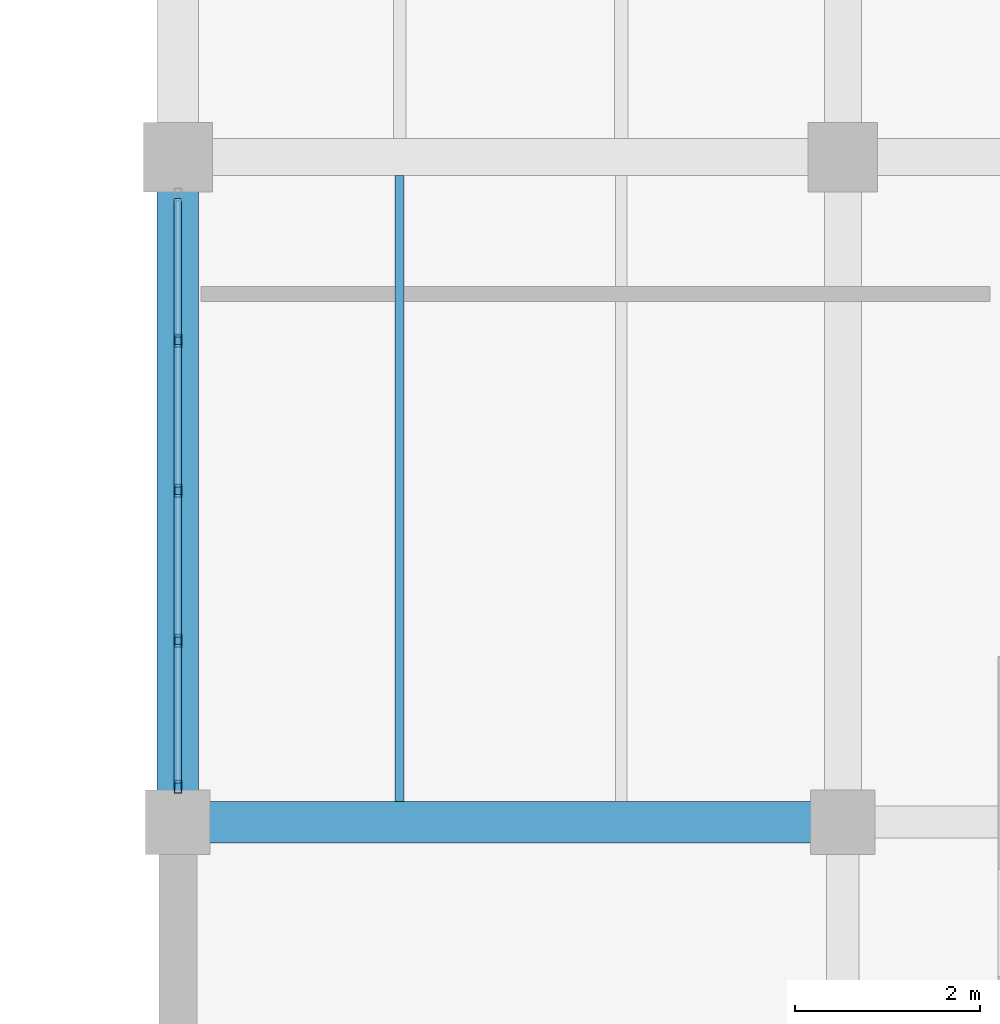
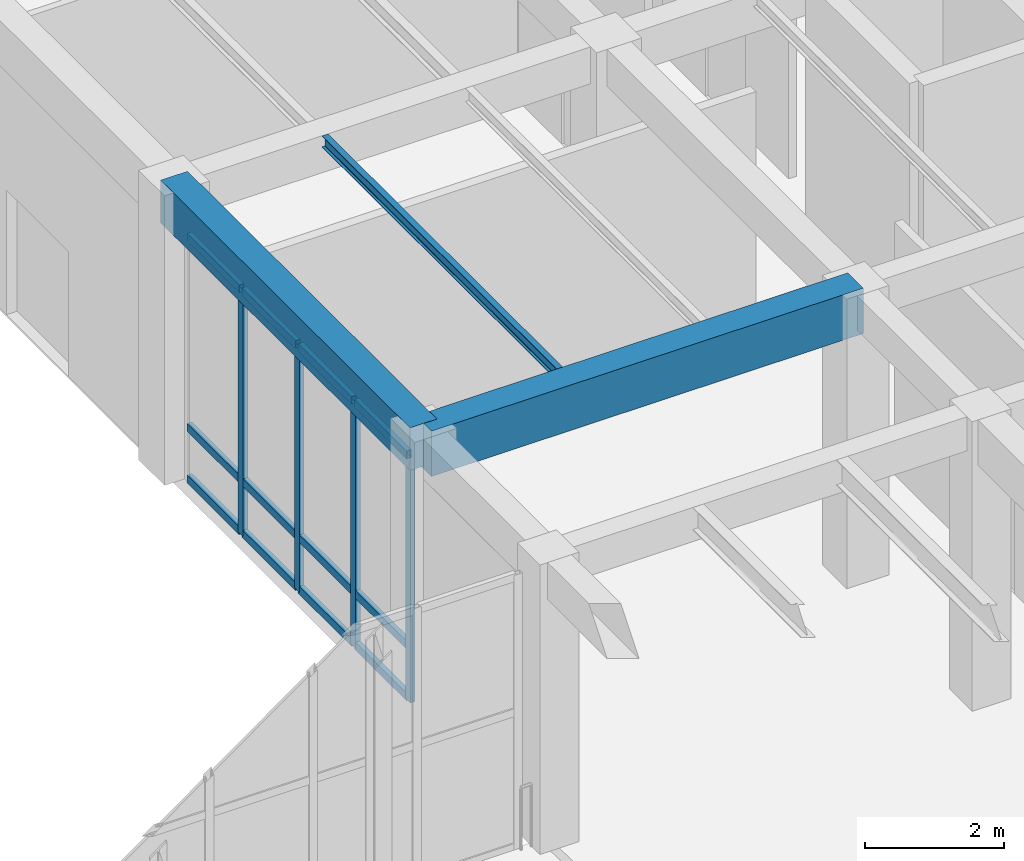
# One storey, part 80 of 169: 16 members, 3 beams, 1 element without a shape of its own.
"""IFC4 building model written with IfcOpenShell, lengths in metres."""

from ifc_helpers import new_model, si_unit, direction, frame, origin, origin_2d, place, context, subcontext, project, spatial, rectangle, hollow_rectangle, i_section, extrude, material, layer, layer_set, material_profile, profile_set, type_object, element, aggregate, save


model = new_model("IFC4")

# Units and contexts
model_context = context("Model", 3, precision=1e-05, world=origin(), true_north=direction((0.0, 1.0)))
body_context = subcontext(model_context, "Body", "Model", "MODEL_VIEW")
ifc_project = project(units=[si_unit("LENGTHUNIT", "METRE"), si_unit("AREAUNIT", "SQUARE_METRE"), si_unit("VOLUMEUNIT", "CUBIC_METRE"), si_unit("PLANEANGLEUNIT", "RADIAN"), si_unit("MASSUNIT", "GRAM", prefix="KILO")], contexts=[model_context])

# Site, building, storey
site_placement = place(None, origin())
site = spatial("IfcSite", under=ifc_project, at=site_placement, CompositionType="ELEMENT")
building_placement = place(site_placement, origin())
building = spatial("IfcBuilding", under=site, at=building_placement, Name="Mazaris Harbour Polytechnic", CompositionType="ELEMENT")
storey_placement = place(building_placement, origin())
storey = spatial("IfcBuildingStorey", under=building, at=storey_placement, Name="L00", CompositionType="ELEMENT", Elevation=0.0)

# Curtain wall, members
ifc_material_1 = material(Name="Anodised Bronze Aluminium and Low-E Glass", Category="aluminium")
ifc_layer = layer(ifc_material_1, 0.169921875, Name="Anodised Bronze Aluminium and Low-E Glass")
ifc_layer_set = layer_set([ifc_layer], Name="Anodised Bronze Aluminium and Low-E Glass")
curtain_wall_type = type_object("IfcCurtainWallType", Name="Studio North-Light Curtain Wall", PredefinedType="NOTDEFINED", material=ifc_layer_set)
curtain_wall_placement = place(storey_placement, origin())
curtain_wall = element("IfcCurtainWall", 1, at=curtain_wall_placement, inside=storey, type_object=curtain_wall_type, Name="V5 L00 Curtain Wall 189", PredefinedType="NOTDEFINED")
ifc_material_2 = material(Name="Anodised Bronze Steel S355", Category="steel")
ifc_material_profile_1 = material_profile(ifc_material_2, hollow_rectangle(XDim=0.080078125, YDim=0.139892578125, WallThickness=0.00634765625, at=origin_2d()), Name="RHS 80x140x6.3")
ifc_profile_set_1 = profile_set([ifc_material_profile_1], Name="Anodised Bronze Steel S355")
member_type_1 = type_object("IfcMemberType", Name="Curtain Mullion RHS80x140", PredefinedType="MULLION", material=ifc_profile_set_1)
member_1_placement = place(storey_placement, frame((122.39990234375, 86.781982421875, 0.0), z_axis=(0.0, 0.0, 1.0), x_axis=(-1.0, 0.0, 0.0)))
member_1 = element("IfcMember", 2, at=member_1_placement, type_object=member_type_1, Name="CW-03 mullion 1", PredefinedType="MULLION", context=body_context, shape_type="SweptSolid", body=[
    extrude(hollow_rectangle(XDim=0.080078125, YDim=0.139892578125, WallThickness=0.00634765625, at=origin_2d()), origin(), (0.0, 0.0, 1.0), 4.340087890625),
])
member_2_placement = place(storey_placement, frame((122.39990234375, 88.36474609375, 0.0), z_axis=(0.0, 0.0, 1.0), x_axis=(-1.0, 0.0, 0.0)))
member_2 = element("IfcMember", 3, at=member_2_placement, type_object=member_type_1, Name="CW-03 mullion 2", PredefinedType="MULLION", context=body_context, shape_type="SweptSolid", body=[
    extrude(hollow_rectangle(XDim=0.080078125, YDim=0.139892578125, WallThickness=0.00634765625, at=origin_2d()), origin(), (0.0, 0.0, 1.0), 4.340087890625),
])
member_3_placement = place(storey_placement, frame((122.39990234375, 89.987548828125, 0.0), z_axis=(0.0, 0.0, 1.0), x_axis=(-1.0, 0.0, 0.0)))
member_3 = element("IfcMember", 4, at=member_3_placement, type_object=member_type_1, Name="CW-03 mullion 3", PredefinedType="MULLION", context=body_context, shape_type="SweptSolid", body=[
    extrude(hollow_rectangle(XDim=0.080078125, YDim=0.139892578125, WallThickness=0.00634765625, at=origin_2d()), origin(), (0.0, 0.0, 1.0), 4.340087890625),
])
member_4_placement = place(storey_placement, frame((122.39990234375, 91.6103515625, 0.0), z_axis=(0.0, 0.0, 1.0), x_axis=(-1.0, 0.0, 0.0)))
member_4 = element("IfcMember", 5, at=member_4_placement, type_object=member_type_1, Name="CW-03 mullion 4", PredefinedType="MULLION", context=body_context, shape_type="SweptSolid", body=[
    extrude(hollow_rectangle(XDim=0.080078125, YDim=0.139892578125, WallThickness=0.00634765625, at=origin_2d()), origin(), (0.0, 0.0, 1.0), 4.340087890625),
])
ifc_material_3 = material(Name="Anodised Bronze Steel S355", Category="steel")
ifc_material_profile_2 = material_profile(ifc_material_3, hollow_rectangle(XDim=0.080078125, YDim=0.139892578125, WallThickness=0.00634765625, at=origin_2d()), Name="RHS 80x140x6.3")
ifc_profile_set_2 = profile_set([ifc_material_profile_2], Name="Anodised Bronze Steel S355")
member_type_2 = type_object("IfcMemberType", Name="Curtain Transom RHS80x140", PredefinedType="USERDEFINED", material=ifc_profile_set_2)
member_5_placement = place(storey_placement, frame((122.39990234375, 86.822021484375, 0.0400390625), z_axis=(0.0, 1.0, 0.0), x_axis=(-1.0, 0.0, 0.0)))
member_5 = element("IfcMember", 6, at=member_5_placement, type_object=member_type_2, Name="CW-03 transom 1.1", ObjectType="TRANSOM", PredefinedType="USERDEFINED", context=body_context, shape_type="SweptSolid", body=[
    extrude(hollow_rectangle(XDim=0.080078125, YDim=0.139892578125, WallThickness=0.00634765625, at=origin_2d()), origin(), (0.0, 0.0, 1.0), 1.502685546875),
])
member_6_placement = place(storey_placement, frame((122.39990234375, 86.822021484375, 0.949951171875), z_axis=(0.0, 1.0, 0.0), x_axis=(-1.0, 0.0, 0.0)))
member_6 = element("IfcMember", 7, at=member_6_placement, type_object=member_type_2, Name="CW-03 transom 1.2", ObjectType="TRANSOM", PredefinedType="USERDEFINED", context=body_context, shape_type="SweptSolid", body=[
    extrude(hollow_rectangle(XDim=0.080078125, YDim=0.139892578125, WallThickness=0.00634765625, at=origin_2d()), origin(), (0.0, 0.0, 1.0), 1.502685546875),
])
member_7_placement = place(storey_placement, frame((122.39990234375, 86.822021484375, 4.300048828125), z_axis=(0.0, 1.0, 0.0), x_axis=(-1.0, 0.0, 0.0)))
member_7 = element("IfcMember", 8, at=member_7_placement, type_object=member_type_2, Name="CW-03 transom 1.3", ObjectType="TRANSOM", PredefinedType="USERDEFINED", context=body_context, shape_type="SweptSolid", body=[
    extrude(hollow_rectangle(XDim=0.080078125, YDim=0.139892578125, WallThickness=0.00634765625, at=origin_2d()), origin(), (0.0, 0.0, 1.0), 1.502685546875),
])
member_8_placement = place(storey_placement, frame((122.39990234375, 88.40478515625, 0.0400390625), z_axis=(0.0, 1.0, 0.0), x_axis=(-1.0, 0.0, 0.0)))
member_8 = element("IfcMember", 9, at=member_8_placement, type_object=member_type_2, Name="CW-03 transom 2.1", ObjectType="TRANSOM", PredefinedType="USERDEFINED", context=body_context, shape_type="SweptSolid", body=[
    extrude(hollow_rectangle(XDim=0.080078125, YDim=0.139892578125, WallThickness=0.00634765625, at=origin_2d()), origin(), (0.0, 0.0, 1.0), 1.542724609375),
])
member_9_placement = place(storey_placement, frame((122.39990234375, 88.40478515625, 0.949951171875), z_axis=(0.0, 1.0, 0.0), x_axis=(-1.0, 0.0, 0.0)))
member_9 = element("IfcMember", 10, at=member_9_placement, type_object=member_type_2, Name="CW-03 transom 2.2", ObjectType="TRANSOM", PredefinedType="USERDEFINED", context=body_context, shape_type="SweptSolid", body=[
    extrude(hollow_rectangle(XDim=0.080078125, YDim=0.139892578125, WallThickness=0.00634765625, at=origin_2d()), origin(), (0.0, 0.0, 1.0), 1.542724609375),
])
member_10_placement = place(storey_placement, frame((122.39990234375, 88.40478515625, 4.300048828125), z_axis=(0.0, 1.0, 0.0), x_axis=(-1.0, 0.0, 0.0)))
member_10 = element("IfcMember", 11, at=member_10_placement, type_object=member_type_2, Name="CW-03 transom 2.3", ObjectType="TRANSOM", PredefinedType="USERDEFINED", context=body_context, shape_type="SweptSolid", body=[
    extrude(hollow_rectangle(XDim=0.080078125, YDim=0.139892578125, WallThickness=0.00634765625, at=origin_2d()), origin(), (0.0, 0.0, 1.0), 1.542724609375),
])
member_11_placement = place(storey_placement, frame((122.39990234375, 90.027587890625, 0.0400390625), z_axis=(0.0, 1.0, 0.0), x_axis=(-1.0, 0.0, 0.0)))
member_11 = element("IfcMember", 12, at=member_11_placement, type_object=member_type_2, Name="CW-03 transom 3.1", ObjectType="TRANSOM", PredefinedType="USERDEFINED", context=body_context, shape_type="SweptSolid", body=[
    extrude(hollow_rectangle(XDim=0.080078125, YDim=0.139892578125, WallThickness=0.00634765625, at=origin_2d()), origin(), (0.0, 0.0, 1.0), 1.542724609375),
])
member_12_placement = place(storey_placement, frame((122.39990234375, 90.027587890625, 0.949951171875), z_axis=(0.0, 1.0, 0.0), x_axis=(-1.0, 0.0, 0.0)))
member_12 = element("IfcMember", 13, at=member_12_placement, type_object=member_type_2, Name="CW-03 transom 3.2", ObjectType="TRANSOM", PredefinedType="USERDEFINED", context=body_context, shape_type="SweptSolid", body=[
    extrude(hollow_rectangle(XDim=0.080078125, YDim=0.139892578125, WallThickness=0.00634765625, at=origin_2d()), origin(), (0.0, 0.0, 1.0), 1.542724609375),
])
member_13_placement = place(storey_placement, frame((122.39990234375, 90.027587890625, 4.300048828125), z_axis=(0.0, 1.0, 0.0), x_axis=(-1.0, 0.0, 0.0)))
member_13 = element("IfcMember", 14, at=member_13_placement, type_object=member_type_2, Name="CW-03 transom 3.3", ObjectType="TRANSOM", PredefinedType="USERDEFINED", context=body_context, shape_type="SweptSolid", body=[
    extrude(hollow_rectangle(XDim=0.080078125, YDim=0.139892578125, WallThickness=0.00634765625, at=origin_2d()), origin(), (0.0, 0.0, 1.0), 1.542724609375),
])
member_14_placement = place(storey_placement, frame((122.39990234375, 91.650146484375, 0.0400390625), z_axis=(0.0, 1.0, 0.0), x_axis=(-1.0, 0.0, 0.0)))
member_14 = element("IfcMember", 15, at=member_14_placement, type_object=member_type_2, Name="CW-03 transom 4.1", ObjectType="TRANSOM", PredefinedType="USERDEFINED", context=body_context, shape_type="SweptSolid", body=[
    extrude(hollow_rectangle(XDim=0.080078125, YDim=0.139892578125, WallThickness=0.00634765625, at=origin_2d()), origin(), (0.0, 0.0, 1.0), 1.5029296875),
])
member_15_placement = place(storey_placement, frame((122.39990234375, 91.650146484375, 0.949951171875), z_axis=(0.0, 1.0, 0.0), x_axis=(-1.0, 0.0, 0.0)))
member_15 = element("IfcMember", 16, at=member_15_placement, type_object=member_type_2, Name="CW-03 transom 4.2", ObjectType="TRANSOM", PredefinedType="USERDEFINED", context=body_context, shape_type="SweptSolid", body=[
    extrude(hollow_rectangle(XDim=0.080078125, YDim=0.139892578125, WallThickness=0.00634765625, at=origin_2d()), origin(), (0.0, 0.0, 1.0), 1.5029296875),
])
member_16_placement = place(storey_placement, frame((122.39990234375, 91.650146484375, 4.300048828125), z_axis=(0.0, 1.0, 0.0), x_axis=(-1.0, 0.0, 0.0)))
member_16 = element("IfcMember", 17, at=member_16_placement, type_object=member_type_2, Name="CW-03 transom 4.3", ObjectType="TRANSOM", PredefinedType="USERDEFINED", context=body_context, shape_type="SweptSolid", body=[
    extrude(hollow_rectangle(XDim=0.080078125, YDim=0.139892578125, WallThickness=0.00634765625, at=origin_2d()), origin(), (0.0, 0.0, 1.0), 1.5029296875),
])
aggregate(curtain_wall, [member_1, member_2, member_3, member_4, member_5, member_6, member_7, member_8, member_9, member_10, member_11, member_12, member_13, member_14, member_15, member_16])

# Beams
ifc_material_4 = material(Name="Concrete C40/50", Category="concrete")
ifc_material_profile_3 = material_profile(ifc_material_4, rectangle(XDim=0.449951171875, YDim=0.75, at=origin_2d()), Name="RECT450x750")
ifc_profile_set_3 = profile_set([ifc_material_profile_3], Name="Concrete C40/50")
beam_type_1 = type_object("IfcBeamType", Name="RC Girder 450x750 Exterior", PredefinedType="BEAM", material=ifc_profile_set_3)
beam_1_placement = place(storey_placement, frame((122.39990234375, 86.39990234375, 4.72509765625), z_axis=(0.0, 1.0, 0.0), x_axis=(-1.0, 0.0, 0.0)))
element("IfcBeam", 18, at=beam_1_placement, inside=storey, type_object=beam_type_1, Name="V5 L00 Tie Girder 2763", PredefinedType="BEAM", context=body_context, shape_type="SweptSolid", body=[
    extrude(rectangle(XDim=0.449951171875, YDim=0.75, at=origin_2d()), origin(), (0.0, 0.0, 1.0), 7.2001953125),
])
ifc_material_5 = material(Name="Concrete C40/50", Category="concrete")
ifc_material_profile_4 = material_profile(ifc_material_5, rectangle(XDim=0.449951171875, YDim=0.800048828125, at=origin_2d()), Name="RECT450x800")
ifc_profile_set_4 = profile_set([ifc_material_profile_4], Name="Concrete C40/50")
beam_type_2 = type_object("IfcBeamType", Name="RC Girder 450x800", PredefinedType="BEAM", material=ifc_profile_set_4)
beam_2_placement = place(storey_placement, frame((122.39990234375, 86.39990234375, 4.699951171875), z_axis=(1.0, 0.0, 0.0), x_axis=(0.0, 1.0, 0.0)))
element("IfcBeam", 19, at=beam_2_placement, inside=storey, type_object=beam_type_2, Name="V5 L00 Girder 2729", PredefinedType="BEAM", context=body_context, shape_type="SweptSolid", body=[
    extrude(rectangle(XDim=0.449951171875, YDim=0.800048828125, at=origin_2d()), origin(), (0.0, 0.0, 1.0), 7.2001953125),
])
ifc_material_6 = material(Name="Steel S355", Category="steel")
ifc_material_profile_5 = material_profile(ifc_material_6, i_section(OverallWidth=0.10009765625, OverallDepth=0.199951171875, WebThickness=0.005615234375, FlangeThickness=0.008544921875, FilletRadius=0.011962890625, at=origin_2d()), Name="IPE 200")
ifc_profile_set_5 = profile_set([ifc_material_profile_5], Name="Steel S355")
beam_type_3 = type_object("IfcBeamType", Name="Steel Joist IPE200", PredefinedType="JOIST", material=ifc_profile_set_5)
beam_3_placement = place(storey_placement, frame((124.800048828125, 86.625, 5.0), z_axis=(0.0, 1.0, 0.0), x_axis=(-1.0, 0.0, 0.0)))
element("IfcBeam", 20, at=beam_3_placement, inside=storey, type_object=beam_type_3, Name="V5 L00 Floor Joist 2828", PredefinedType="JOIST", context=body_context, shape_type="SweptSolid", body=[
    extrude(i_section(OverallWidth=0.10009765625, OverallDepth=0.199951171875, WebThickness=0.005615234375, FlangeThickness=0.008544921875, FilletRadius=0.011962890625, at=origin_2d()), origin(), (0.0, 0.0, 1.0), 6.77490234375),
])

save(model, "model.ifc")
